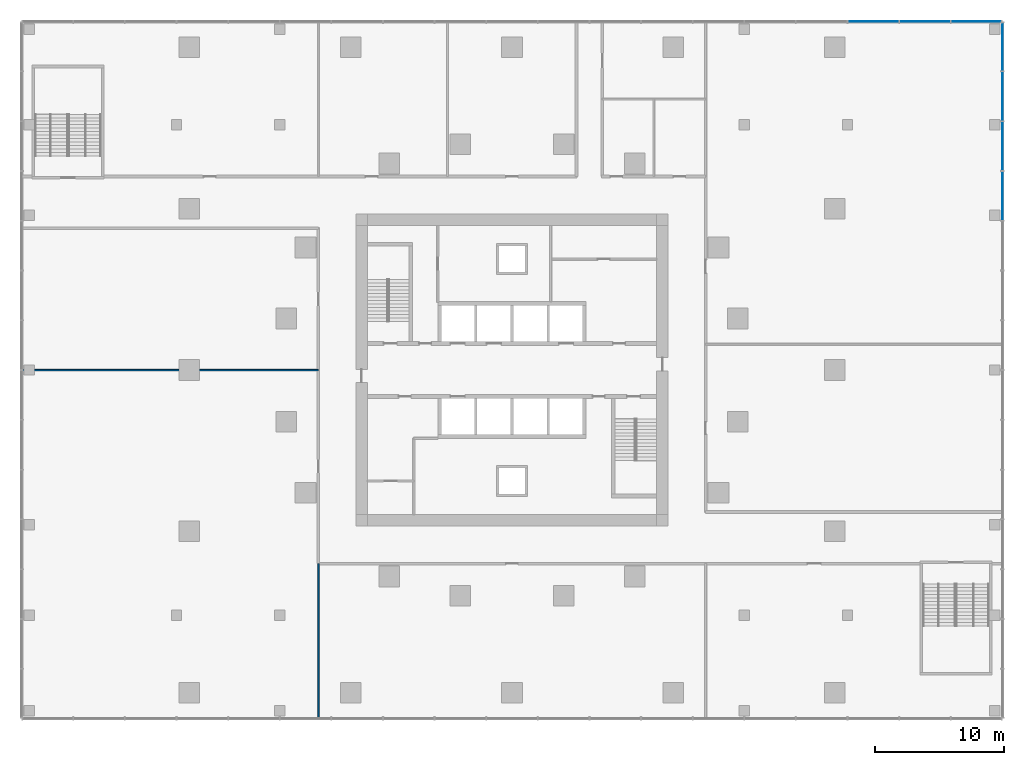
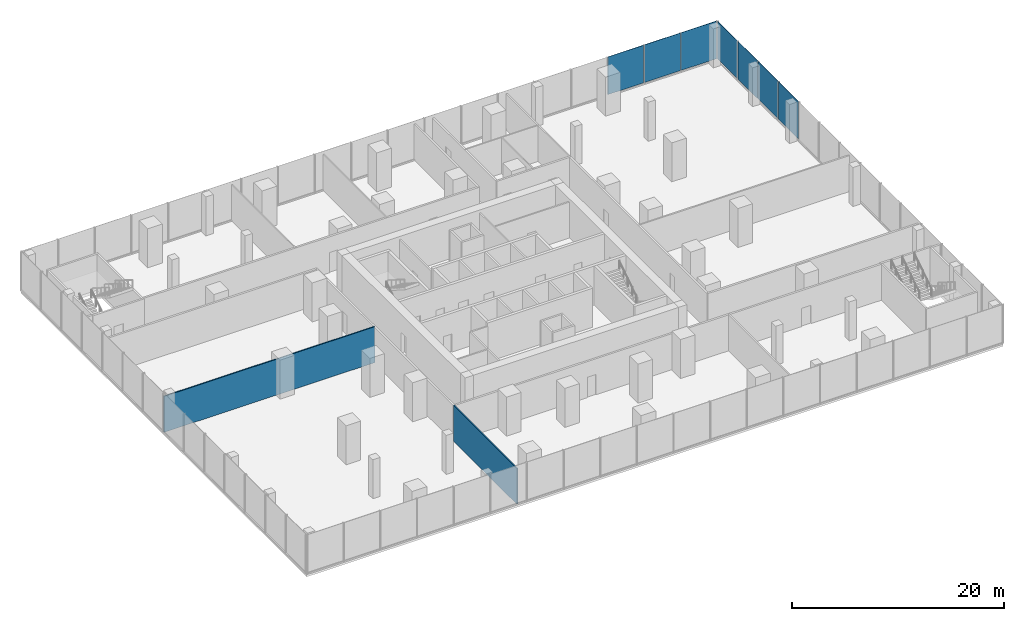
# One storey, part 9 of 15: 7 plates, 2 walls, 2 elements without a shape of their own.
"""IFC4 building model written with IfcOpenShell, lengths in metres."""

from ifc_helpers import new_model, si_unit, direction, frame, frame_2d, origin, origin_2d, place, context, subcontext, project, spatial, rectangle, extrude, material, layer, layer_set, type_object, element, aggregate, save


model = new_model("IFC4")

# Units and contexts
model_context = context("Model", 3, precision=1e-05, world=origin(), true_north=direction((0.0, 1.0)))
body_context = subcontext(model_context, "Body", "Model", "MODEL_VIEW")
ifc_project = project(units=[si_unit("LENGTHUNIT", "METRE"), si_unit("AREAUNIT", "SQUARE_METRE"), si_unit("VOLUMEUNIT", "CUBIC_METRE"), si_unit("PLANEANGLEUNIT", "RADIAN"), si_unit("MASSUNIT", "GRAM", prefix="KILO")], contexts=[model_context])

# Site, building, storey
site_placement = place(None, origin())
site = spatial("IfcSite", under=ifc_project, at=site_placement, CompositionType="ELEMENT")
building_placement = place(site_placement, origin())
building = spatial("IfcBuilding", under=site, at=building_placement, Name="Torsade Residences", CompositionType="ELEMENT")
storey_placement = place(building_placement, frame((0.0, 0.0, 6.0)))
storey = spatial("IfcBuildingStorey", under=building, at=storey_placement, Name="L01", CompositionType="ELEMENT", Elevation=6.0)

# Curtain wall, plates
ifc_material_1 = material(Name="Aluminium and glass", Category="aluminium")
curtain_wall_type = type_object("IfcCurtainWallType", Name="PODIUM CURTAIN WALL", PredefinedType="NOTDEFINED", material=ifc_material_1)
curtain_wall_1_placement = place(storey_placement, origin())
curtain_wall_1 = element("IfcCurtainWall", 1, at=curtain_wall_1_placement, inside=storey, type_object=curtain_wall_type, Name="Podium curtain wall L01 E", PredefinedType="NOTDEFINED")
ifc_material_2 = material(Name="Laminated glass", Category="glass")
ifc_layer_1 = layer(ifc_material_2, 0.031982421875)
ifc_layer_set_1 = layer_set([ifc_layer_1], Name="Laminated glass")
plate_type_1 = type_object("IfcPlateType", Name="FRITTED GLASS PANEL", PredefinedType="CURTAIN_PANEL", material=ifc_layer_set_1)
plate_1_placement = place(storey_placement, frame((78.0, 43.5, 0.14990234375), z_axis=(0.0, 0.0, 1.0), x_axis=(0.0, 1.0, 0.0)))
plate_1 = element("IfcPlate", 2, at=plate_1_placement, type_object=plate_type_1, Name="Panel 11", PredefinedType="CURTAIN_PANEL", context=body_context, shape_type="SweptSolid", body=[
    extrude(rectangle(XDim=3.76708984375, YDim=0.031982421875, at=origin_2d()), origin(), (0.0, 0.0, 1.0), 4.35009765625),
])
plate_2_placement = place(storey_placement, frame((78.0, 47.357177734375, 0.14990234375), z_axis=(0.0, 0.0, 1.0), x_axis=(0.0, 1.0, 0.0)))
plate_2 = element("IfcPlate", 3, at=plate_2_placement, type_object=plate_type_1, Name="Panel 12", PredefinedType="CURTAIN_PANEL", context=body_context, shape_type="SweptSolid", body=[
    extrude(rectangle(XDim=3.76708984375, YDim=0.031982421875, at=origin_2d()), origin(), (0.0, 0.0, 1.0), 4.35009765625),
])
plate_3_placement = place(storey_placement, frame((78.0, 51.21435546875, 0.14990234375), z_axis=(0.0, 0.0, 1.0), x_axis=(0.0, 1.0, 0.0)))
plate_3 = element("IfcPlate", 4, at=plate_3_placement, type_object=plate_type_1, Name="Panel 13", PredefinedType="CURTAIN_PANEL", context=body_context, shape_type="SweptSolid", body=[
    extrude(rectangle(XDim=3.76708984375, YDim=0.031982421875, at=origin_2d()), origin(), (0.0, 0.0, 1.0), 4.35009765625),
])

curtain_wall_2_placement = place(storey_placement, origin())
curtain_wall_2 = element("IfcCurtainWall", 5, at=curtain_wall_2_placement, inside=storey, type_object=curtain_wall_type, Name="Podium curtain wall L01 N", PredefinedType="NOTDEFINED")
plate_4_placement = place(storey_placement, frame((75.9775390625, 57.0, 0.14990234375), z_axis=(0.0, 0.0, 1.0), x_axis=(-1.0, 0.0, 0.0)))
plate_4 = element("IfcPlate", 6, at=plate_4_placement, type_object=plate_type_1, Name="Panel 1", PredefinedType="CURTAIN_PANEL", context=body_context, shape_type="SweptSolid", body=[
    extrude(rectangle(XDim=3.864990234375, YDim=0.031982421875, at=origin_2d()), origin(), (0.0, 0.0, 1.0), 4.35009765625),
])
plate_5_placement = place(storey_placement, frame((68.0, 57.0, 0.14990234375), z_axis=(0.0, 0.0, 1.0), x_axis=(-1.0, 0.0, 0.0)))
plate_5 = element("IfcPlate", 7, at=plate_5_placement, type_object=plate_type_1, Name="Panel 3", PredefinedType="CURTAIN_PANEL", context=body_context, shape_type="SweptSolid", body=[
    extrude(rectangle(XDim=3.909912109375, YDim=0.031982421875, at=origin_2d()), origin(), (0.0, 0.0, 1.0), 4.35009765625),
])

# Plate
ifc_material_3 = material(Name="Laminated glass", Category="glass")
ifc_layer_2 = layer(ifc_material_3, 0.0400390625)
ifc_layer_set_2 = layer_set([ifc_layer_2], Name="Laminated glass")
plate_type_2 = type_object("IfcPlateType", Name="OPERABLE VENT PANEL", PredefinedType="CURTAIN_PANEL", material=ifc_layer_set_2)
plate_6_placement = place(storey_placement, frame((78.0, 55.048828125, 0.14990234375), z_axis=(0.0, 0.0, 1.0), x_axis=(0.0, 1.0, 0.0)))
plate_6 = element("IfcPlate", 8, at=plate_6_placement, type_object=plate_type_2, Name="Panel 14", PredefinedType="CURTAIN_PANEL", context=body_context, shape_type="SweptSolid", body=[
    extrude(rectangle(XDim=3.72216796875, YDim=0.0400390625, at=origin_2d()), origin(), (0.0, 0.0, 1.0), 4.35009765625),
])

aggregate(curtain_wall_1, [plate_1, plate_2, plate_3, plate_6])

plate_7_placement = place(storey_placement, frame((72.0, 57.0, 0.14990234375), z_axis=(0.0, 0.0, 1.0), x_axis=(-1.0, 0.0, 0.0)))
plate_7 = element("IfcPlate", 9, at=plate_7_placement, type_object=plate_type_2, Name="Panel 2", PredefinedType="CURTAIN_PANEL", context=body_context, shape_type="SweptSolid", body=[
    extrude(rectangle(XDim=3.909912109375, YDim=0.0400390625, at=origin_2d()), origin(), (0.0, 0.0, 1.0), 4.35009765625),
])

aggregate(curtain_wall_2, [plate_4, plate_7, plate_5])

# Walls
ifc_material_4 = material(Name="Plasterboard on steel stud", Category="steel")
ifc_layer_3 = layer(ifc_material_4, 0.1201171875)
ifc_layer_set_3 = layer_set([ifc_layer_3], Name="Plasterboard on steel stud")
wall_type = type_object("IfcWallType", Name="PARTITION 120", PredefinedType="PARTITIONING", material=ifc_layer_set_3)
wall_1_placement = place(storey_placement, frame((2.0, 30.0, 0.0), z_axis=(0.0, 0.0, 1.0), x_axis=(1.0, 0.0, 0.0)))
element("IfcWall", 10, at=wall_1_placement, inside=storey, type_object=wall_type, Name="Partition L01", PredefinedType="PARTITIONING", context=body_context, shape_type="SweptSolid", body=[
    extrude(rectangle(XDim=23.0, YDim=0.1201171875, at=frame_2d((11.5, 0.0))), origin(), (0.0, 0.0, 1.0), 4.14990234375),
])
wall_2_placement = place(storey_placement, frame((25.0, 15.0, 0.0), z_axis=(0.0, 0.0, 1.0), x_axis=(0.0, -1.0, 0.0)))
element("IfcWall", 11, at=wall_2_placement, inside=storey, type_object=wall_type, Name="Partition L01", PredefinedType="PARTITIONING", context=body_context, shape_type="SweptSolid", body=[
    extrude(rectangle(XDim=12.0, YDim=0.1201171875, at=frame_2d((6.0, 0.0))), origin(), (0.0, 0.0, 1.0), 4.14990234375),
])

save(model, "model.ifc")
